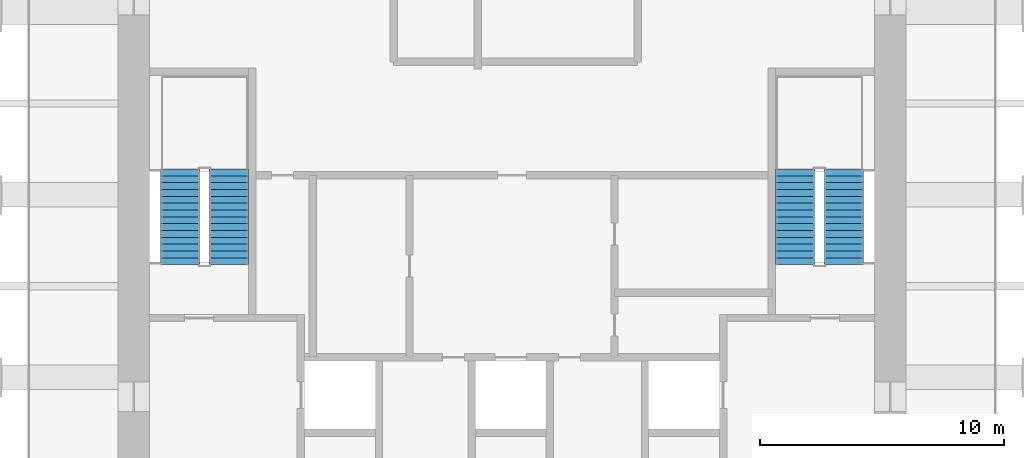
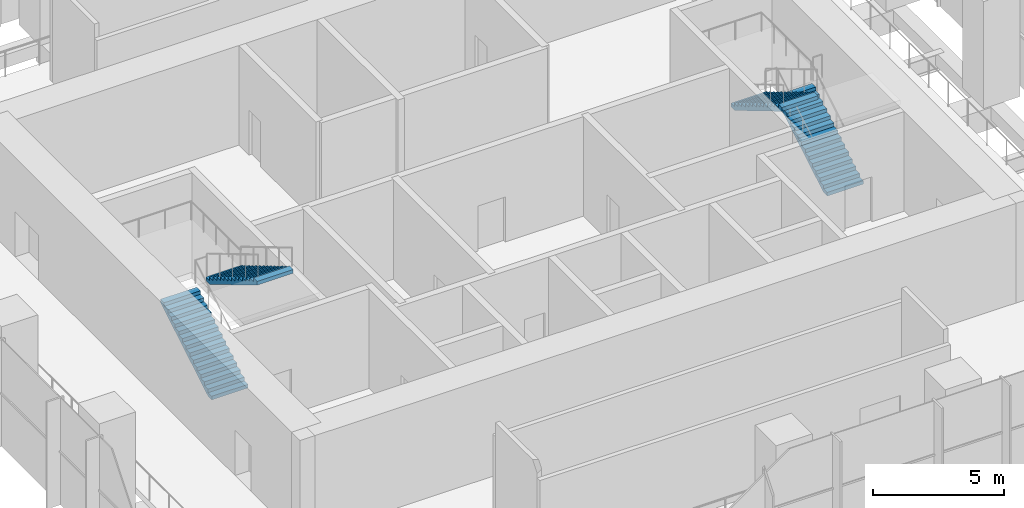
# One storey, part 7 of 10: 4 stair flights, 2 elements without a shape of their own.
"""IFC4 building model written with IfcOpenShell, lengths in metres."""

from ifc_helpers import new_model, si_unit, direction, frame, origin, place, context, subcontext, project, spatial, polyline, outline, extrude, material, type_object, element, aggregate, save


model = new_model("IFC4")

# Units and contexts
model_context = context("Model", 3, precision=1e-05, world=origin(), true_north=direction((0.0, 1.0)))
body_context = subcontext(model_context, "Body", "Model", "MODEL_VIEW")
ifc_project = project(units=[si_unit("LENGTHUNIT", "METRE"), si_unit("AREAUNIT", "SQUARE_METRE"), si_unit("VOLUMEUNIT", "CUBIC_METRE"), si_unit("PLANEANGLEUNIT", "RADIAN"), si_unit("MASSUNIT", "GRAM", prefix="KILO")], contexts=[model_context])

# Site, building, storey
site_placement = place(None, origin())
site = spatial("IfcSite", under=ifc_project, at=site_placement, CompositionType="ELEMENT")
building_placement = place(site_placement, origin())
building = spatial("IfcBuilding", under=site, at=building_placement, Name="Khuree Lantern Residences", CompositionType="ELEMENT")
storey_placement = place(building_placement, frame((0.0, 0.0, 358.25)))
storey = spatial("IfcBuildingStorey", under=building, at=storey_placement, Name="L90", CompositionType="ELEMENT", Elevation=358.25)

# Stair, stair flights
ifc_material = material(Name="Concrete C40/50", Category="concrete")
stair_type = type_object("IfcStairType", Name="STAIR ST1 HALF TURN 3600", PredefinedType="HALF_TURN_STAIR", material=ifc_material)
stair_1_placement = place(storey_placement, origin())
stair_1 = element("IfcStair", 1, at=stair_1_placement, inside=storey, type_object=stair_type, Name="Stair ST1", PredefinedType="HALF_TURN_STAIR")
stair_flight_type = type_object("IfcStairFlightType", Name="STAIR FLIGHT SF1 1600", PredefinedType="STRAIGHT", material=ifc_material)
stair_flight_1_placement = place(storey_placement, frame((-13.60009765625, -2.860107421875, 0.0), z_axis=(0.0, 0.0, 1.0), x_axis=(0.0, 1.0, 0.0)))
stair_flight_1 = element("IfcStairFlight", 2, at=stair_flight_1_placement, type_object=stair_flight_type, Name="ST1 flight 1", NumberOfRisers=15, NumberOfTreads=14, PredefinedType="STRAIGHT", RiserHeight=0.166666667, TreadLength=0.28, context=body_context, shape_type="SweptSolid", body=[
    extrude(outline(polyline([(0.0, 0.0), (0.0, 0.166748046875), (0.280029296875, 0.166748046875), (0.280029296875, 0.333251953125), (0.56005859375, 0.333251953125), (0.56005859375, 0.5), (0.840087890625, 0.5), (0.840087890625, 0.666748046875), (1.1201171875, 0.666748046875), (1.1201171875, 0.833251953125), (1.39990234375, 0.833251953125), (1.39990234375, 1.0), (1.679931640625, 1.0), (1.679931640625, 1.166748046875), (1.9599609375, 1.166748046875), (1.9599609375, 1.333251953125), (2.239990234375, 1.333251953125), (2.239990234375, 1.5), (2.52001953125, 1.5), (2.52001953125, 1.666748046875), (2.800048828125, 1.666748046875), (2.800048828125, 1.833251953125), (3.080078125, 1.833251953125), (3.080078125, 2.0), (3.360107421875, 2.0), (3.360107421875, 2.166748046875), (3.639892578125, 2.166748046875), (3.639892578125, 2.333251953125), (3.919921875, 2.333251953125), (3.919921875, 2.5), (3.919921875, 2.158935546875), (0.29296875, 0.0), (0.0, 0.0)])), frame((0.0, 0.800048828125, 0.0), z_axis=(0.0, -1.0, 0.0), x_axis=(1.0, 0.0, 0.0)), (0.0, 0.0, 1.0), 1.60009765625),
])
stair_flight_2_placement = place(storey_placement, frame((-11.60009765625, 1.06005859375, 2.5), z_axis=(0.0, 0.0, 1.0), x_axis=(0.0, -1.0, 0.0)))
stair_flight_2 = element("IfcStairFlight", 3, at=stair_flight_2_placement, type_object=stair_flight_type, Name="ST1 flight 2", NumberOfRisers=15, NumberOfTreads=14, PredefinedType="STRAIGHT", RiserHeight=0.166666667, TreadLength=0.28, context=body_context, shape_type="SweptSolid", body=[
    extrude(outline(polyline([(0.0, 0.0), (0.0, 0.166748046875), (0.280029296875, 0.166748046875), (0.280029296875, 0.333251953125), (0.56005859375, 0.333251953125), (0.56005859375, 0.5), (0.840087890625, 0.5), (0.840087890625, 0.666748046875), (1.1201171875, 0.666748046875), (1.1201171875, 0.833251953125), (1.39990234375, 0.833251953125), (1.39990234375, 1.0), (1.679931640625, 1.0), (1.679931640625, 1.166748046875), (1.9599609375, 1.166748046875), (1.9599609375, 1.333251953125), (2.239990234375, 1.333251953125), (2.239990234375, 1.5), (2.52001953125, 1.5), (2.52001953125, 1.666748046875), (2.800048828125, 1.666748046875), (2.800048828125, 1.833251953125), (3.080078125, 1.833251953125), (3.080078125, 2.0), (3.360107421875, 2.0), (3.360107421875, 2.166748046875), (3.639892578125, 2.166748046875), (3.639892578125, 2.333251953125), (3.919921875, 2.333251953125), (3.919921875, 2.5), (3.919921875, 2.158935546875), (0.29296875, 0.0), (0.0, 0.0)])), frame((0.0, 0.800048828125, 0.0), z_axis=(0.0, -1.0, 0.0), x_axis=(1.0, 0.0, 0.0)), (0.0, 0.0, 1.0), 1.60009765625),
])
aggregate(stair_1, [stair_flight_1, stair_flight_2])

stair_2_placement = place(storey_placement, origin())
stair_2 = element("IfcStair", 4, at=stair_2_placement, inside=storey, type_object=stair_type, Name="Stair ST2", PredefinedType="HALF_TURN_STAIR")
stair_flight_3_placement = place(storey_placement, frame((13.60009765625, -2.860107421875, 0.0), z_axis=(0.0, 0.0, 1.0), x_axis=(0.0, 1.0, 0.0)))
stair_flight_3 = element("IfcStairFlight", 5, at=stair_flight_3_placement, type_object=stair_flight_type, Name="ST2 flight 1", NumberOfRisers=15, NumberOfTreads=14, PredefinedType="STRAIGHT", RiserHeight=0.166666667, TreadLength=0.28, context=body_context, shape_type="SweptSolid", body=[
    extrude(outline(polyline([(0.0, 0.0), (0.0, 0.166748046875), (0.280029296875, 0.166748046875), (0.280029296875, 0.333251953125), (0.56005859375, 0.333251953125), (0.56005859375, 0.5), (0.840087890625, 0.5), (0.840087890625, 0.666748046875), (1.1201171875, 0.666748046875), (1.1201171875, 0.833251953125), (1.39990234375, 0.833251953125), (1.39990234375, 1.0), (1.679931640625, 1.0), (1.679931640625, 1.166748046875), (1.9599609375, 1.166748046875), (1.9599609375, 1.333251953125), (2.239990234375, 1.333251953125), (2.239990234375, 1.5), (2.52001953125, 1.5), (2.52001953125, 1.666748046875), (2.800048828125, 1.666748046875), (2.800048828125, 1.833251953125), (3.080078125, 1.833251953125), (3.080078125, 2.0), (3.360107421875, 2.0), (3.360107421875, 2.166748046875), (3.639892578125, 2.166748046875), (3.639892578125, 2.333251953125), (3.919921875, 2.333251953125), (3.919921875, 2.5), (3.919921875, 2.158935546875), (0.29296875, 0.0), (0.0, 0.0)])), frame((0.0, 0.800048828125, 0.0), z_axis=(0.0, -1.0, 0.0), x_axis=(1.0, 0.0, 0.0)), (0.0, 0.0, 1.0), 1.60009765625),
])
stair_flight_4_placement = place(storey_placement, frame((11.60009765625, 1.06005859375, 2.5), z_axis=(0.0, 0.0, 1.0), x_axis=(0.0, -1.0, 0.0)))
stair_flight_4 = element("IfcStairFlight", 6, at=stair_flight_4_placement, type_object=stair_flight_type, Name="ST2 flight 2", NumberOfRisers=15, NumberOfTreads=14, PredefinedType="STRAIGHT", RiserHeight=0.166666667, TreadLength=0.28, context=body_context, shape_type="SweptSolid", body=[
    extrude(outline(polyline([(0.0, 0.0), (0.0, 0.166748046875), (0.280029296875, 0.166748046875), (0.280029296875, 0.333251953125), (0.56005859375, 0.333251953125), (0.56005859375, 0.5), (0.840087890625, 0.5), (0.840087890625, 0.666748046875), (1.1201171875, 0.666748046875), (1.1201171875, 0.833251953125), (1.39990234375, 0.833251953125), (1.39990234375, 1.0), (1.679931640625, 1.0), (1.679931640625, 1.166748046875), (1.9599609375, 1.166748046875), (1.9599609375, 1.333251953125), (2.239990234375, 1.333251953125), (2.239990234375, 1.5), (2.52001953125, 1.5), (2.52001953125, 1.666748046875), (2.800048828125, 1.666748046875), (2.800048828125, 1.833251953125), (3.080078125, 1.833251953125), (3.080078125, 2.0), (3.360107421875, 2.0), (3.360107421875, 2.166748046875), (3.639892578125, 2.166748046875), (3.639892578125, 2.333251953125), (3.919921875, 2.333251953125), (3.919921875, 2.5), (3.919921875, 2.158935546875), (0.29296875, 0.0), (0.0, 0.0)])), frame((0.0, 0.800048828125, 0.0), z_axis=(0.0, -1.0, 0.0), x_axis=(1.0, 0.0, 0.0)), (0.0, 0.0, 1.0), 1.60009765625),
])
aggregate(stair_2, [stair_flight_3, stair_flight_4])

save(model, "model.ifc")
